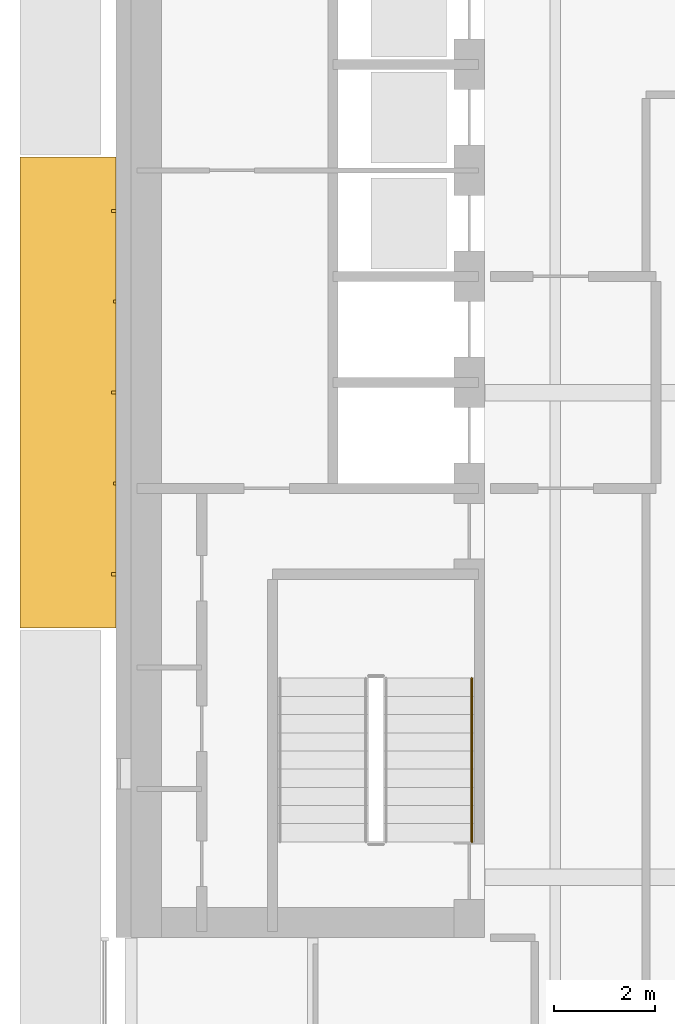
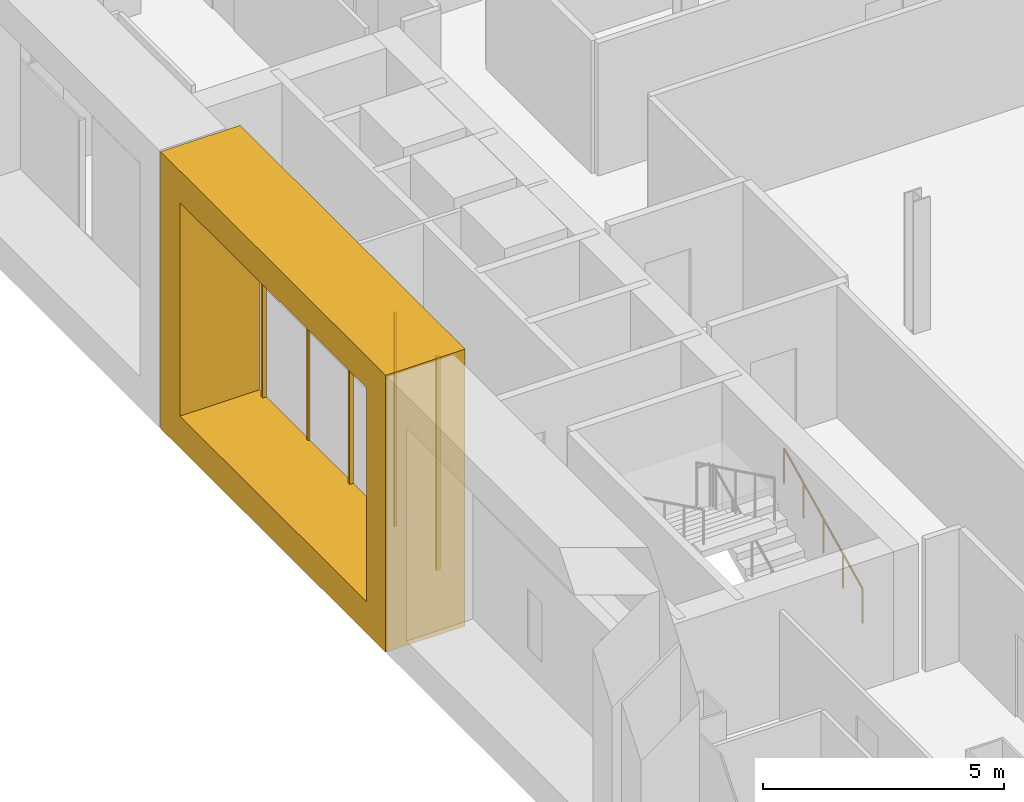
# One storey, part 16 of 20: 6 coverings, 1 railing.
"""IFC4 building model written with IfcOpenShell, lengths in metres."""

from ifc_helpers import new_model, si_unit, direction, frame, origin, origin_2d, place, context, subcontext, project, spatial, polyline, rectangle, circle, outline, extrude, material, type_object, element, save


model = new_model("IFC4")

# Units and contexts
model_context = context("Model", 3, precision=1e-05, world=origin(), true_north=direction((0.0, 1.0)))
body_context = subcontext(model_context, "Body", "Model", "MODEL_VIEW")
ifc_project = project(units=[si_unit("LENGTHUNIT", "METRE"), si_unit("AREAUNIT", "SQUARE_METRE"), si_unit("VOLUMEUNIT", "CUBIC_METRE"), si_unit("PLANEANGLEUNIT", "RADIAN"), si_unit("MASSUNIT", "GRAM", prefix="KILO")], contexts=[model_context])

# Site, building, storey
site_placement = place(None, origin())
site = spatial("IfcSite", under=ifc_project, at=site_placement, CompositionType="ELEMENT")
building_placement = place(site_placement, origin())
building = spatial("IfcBuilding", under=site, at=building_placement, Name="Cobrizo Arcos Hotel Tower", CompositionType="ELEMENT")
storey_placement = place(building_placement, frame((0.0, 0.0, 96.0)))
storey = spatial("IfcBuildingStorey", under=building, at=storey_placement, Name="L23", CompositionType="ELEMENT", Elevation=96.0)

# Coverings
ifc_material_1 = material(Name="Aluminium 6063-T6 anodised bronze", Category="aluminium")
covering_type_1 = type_object("IfcCoveringType", Name="FIN-F 1900", PredefinedType="CLADDING", material=ifc_material_1)
covering_placement = place(storey_placement, frame((-23.10009765625, 4.66259765625, 0.0), z_axis=(-1.0, 0.0, 0.0), x_axis=(0.0, -1.0, 0.0)))
element("IfcCovering", 1, at=covering_placement, inside=storey, type_object=covering_type_1, Name="Fin frame 151", PredefinedType="CLADDING", context=body_context, shape_type="SweptSolid", body=[
    extrude(outline(polyline([(0.0, 7.0), (0.0, 0.0), (9.324951171875, 0.0), (9.324951171875, 7.0), (0.0, 7.0)]), holes=[polyline([(8.52490234375, 0.800048828125), (0.800048828125, 0.800048828125), (0.800048828125, 6.199951171875), (8.52490234375, 6.199951171875), (8.52490234375, 0.800048828125)])]), origin(), (0.0, 0.0, 1.0), 1.89990234375),
])
ifc_material_2 = material(Name="Aluminium 6063-T6 anodised pale", Category="aluminium")
covering_type_2 = type_object("IfcCoveringType", Name="RS-1 rainscreen rib 60x90", PredefinedType="CLADDING", material=ifc_material_2)
for number, where, z_axis, x_axis, name in (
    (2, (-23.14501953125, 3.60009765625, 0.800048828125), (0.0, 0.0, 1.0), (0.0, -1.0, 0.0), "Rainscreen rib 149"),
    (3, (-23.14501953125, 0.0, 0.800048828125), (0.0, 0.0, 1.0), (0.0, -1.0, 0.0), "Rainscreen rib 151"),
    (4, (-23.14501953125, -3.60009765625, 0.800048828125), (0.0, 0.0, 1.0), (0.0, -1.0, 0.0), "Rainscreen rib 153"),
):
    element("IfcCovering", number, at=place(storey_placement, frame(where, z_axis=z_axis, x_axis=x_axis)), inside=storey, type_object=covering_type_2, Name=name, PredefinedType="CLADDING", context=body_context, shape_type="SweptSolid", body=[
        extrude(rectangle(XDim=0.06005859375, YDim=0.090087890625, at=origin_2d()), origin(), (0.0, 0.0, 1.0), 5.39990234375),
    ])
covering_type_3 = type_object("IfcCoveringType", Name="RS-2 rainscreen rib 60x50", PredefinedType="CLADDING", material=ifc_material_2)
for number, where, z_axis, x_axis, name in (
    (5, (-23.125, 1.800048828125, 0.800048828125), (0.0, 0.0, 1.0), (0.0, -1.0, 0.0), "Rainscreen rib 150"),
    (6, (-23.125, -1.800048828125, 0.800048828125), (0.0, 0.0, 1.0), (0.0, -1.0, 0.0), "Rainscreen rib 152"),
):
    element("IfcCovering", number, at=place(storey_placement, frame(where, z_axis=z_axis, x_axis=x_axis)), inside=storey, type_object=covering_type_3, Name=name, PredefinedType="CLADDING", context=body_context, shape_type="SweptSolid", body=[
        extrude(rectangle(XDim=0.06005859375, YDim=0.050048828125, at=origin_2d()), origin(), (0.0, 0.0, 1.0), 5.39990234375),
    ])

# Railing
ifc_material_3 = material(Name="Stainless steel railing", Category="steel")
railing_type = type_object("IfcRailingType", Name="Stair handrail", PredefinedType="HANDRAIL", material=ifc_material_3)
railing_placement = place(storey_placement, frame((-16.050048828125, -8.89990234375, 0.175048828125)))
element("IfcRailing", 7, at=railing_placement, inside=storey, type_object=railing_type, Name="L23 ST-W stair handrail 1", PredefinedType="HANDRAIL", context=body_context, shape_type="SweptSolid", body=[
    extrude(circle(Radius=0.02392578125, at=origin_2d()), frame((0.0, 0.0, 0.8759765625), z_axis=(0.0, 0.899372665325, 0.437182809435), x_axis=(-1.0, 0.0, 0.0)), (0.0, 0.0, 1.0), 3.6025390625),
    extrude(circle(Radius=0.02099609375, at=origin_2d()), origin(), (0.0, 0.0, 1.0), 0.851806640625),
    extrude(circle(Radius=0.02099609375, at=origin_2d()), frame((0.0, 0.81005859375, 0.393798828125)), (0.0, 0.0, 1.0), 0.851806640625),
    extrude(circle(Radius=0.02099609375, at=origin_2d()), frame((0.0, 1.6201171875, 0.78759765625)), (0.0, 0.0, 1.0), 0.851806640625),
    extrude(circle(Radius=0.02099609375, at=origin_2d()), frame((0.0, 2.429931640625, 1.18115234375)), (0.0, 0.0, 1.0), 0.851806640625),
    extrude(circle(Radius=0.02099609375, at=origin_2d()), frame((0.0, 3.239990234375, 1.574951171875)), (0.0, 0.0, 1.0), 0.851806640625),
])

save(model, "model.ifc")
